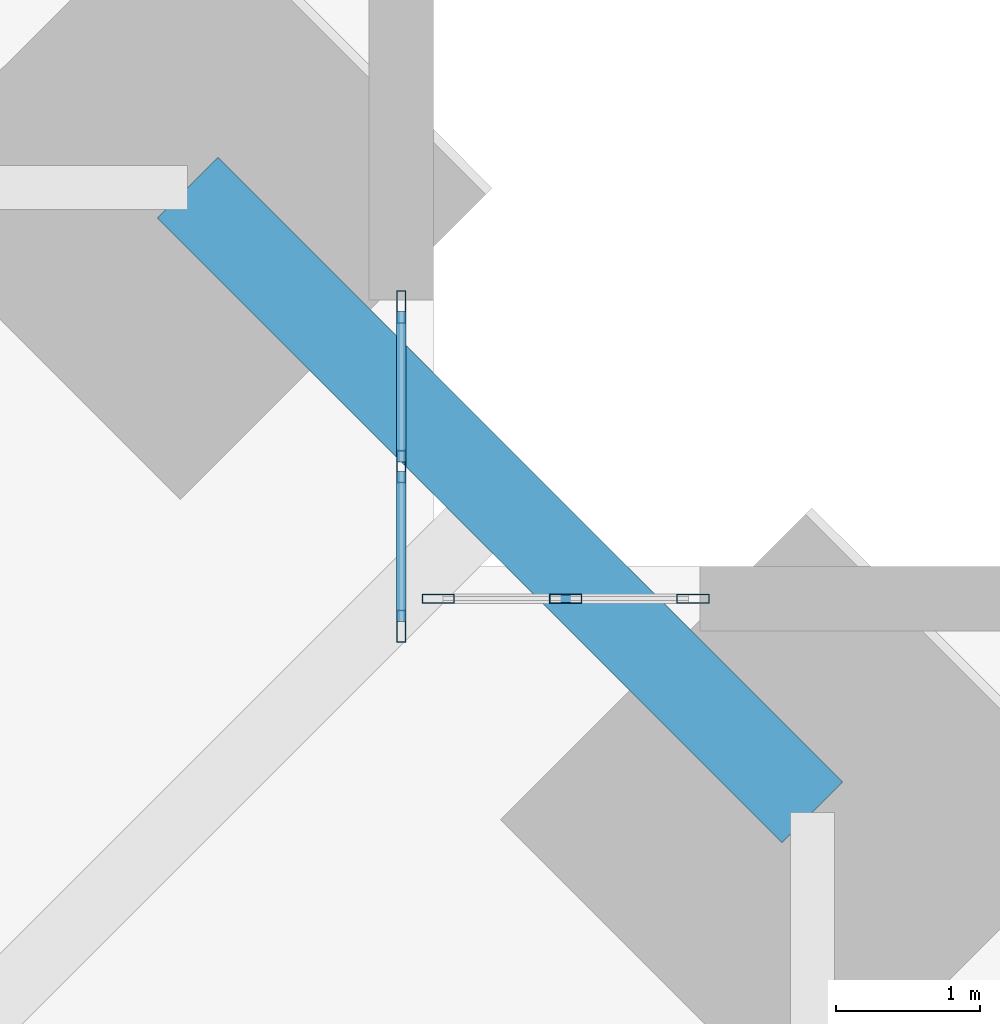
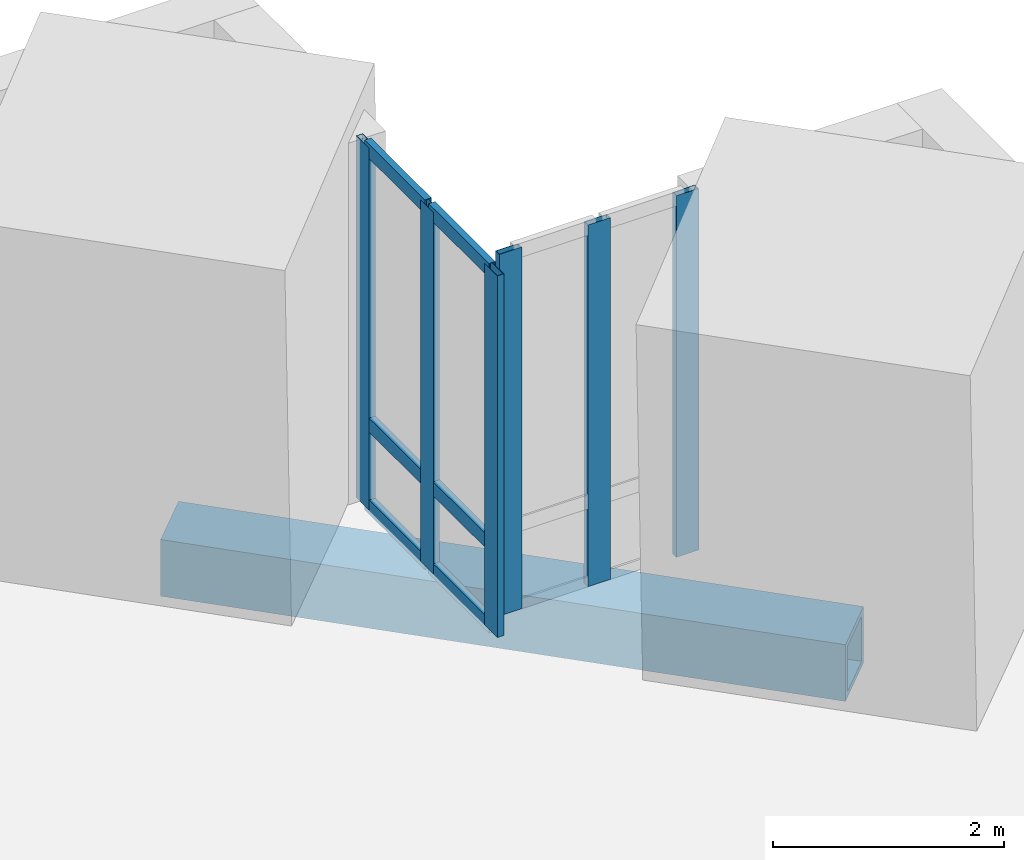
# One storey, part 8 of 17: 12 members, 1 beam, 2 elements without a shape of their own.
"""IFC4 building model written with IfcOpenShell, lengths in metres."""

from ifc_helpers import new_model, si_unit, direction, frame, origin, origin_2d, place, context, subcontext, project, spatial, hollow_rectangle, extrude, material, material_profile, profile_set, type_object, element, aggregate, save


model = new_model("IFC4")

# Units and contexts
model_context = context("Model", 3, precision=1e-05, world=origin(), true_north=direction((0.0, 1.0)))
body_context = subcontext(model_context, "Body", "Model", "MODEL_VIEW")
ifc_project = project(units=[si_unit("LENGTHUNIT", "METRE"), si_unit("AREAUNIT", "SQUARE_METRE"), si_unit("VOLUMEUNIT", "CUBIC_METRE"), si_unit("PLANEANGLEUNIT", "RADIAN"), si_unit("MASSUNIT", "GRAM", prefix="KILO")], contexts=[model_context])

# Site, building, storey
site_placement = place(None, origin())
site = spatial("IfcSite", under=ifc_project, at=site_placement, CompositionType="ELEMENT")
building_placement = place(site_placement, origin())
building = spatial("IfcBuilding", under=site, at=building_placement, Name="Peilmerk Tower", CompositionType="ELEMENT")
storey_placement = place(building_placement, frame((0.0, 0.0, 147.800048828125)))
storey = spatial("IfcBuildingStorey", under=building, at=storey_placement, Name="L30", CompositionType="ELEMENT", Elevation=147.800048828125)

# Beam
ifc_material_1 = material(Name="Steel S460", Category="steel")
ifc_material_profile_1 = material_profile(ifc_material_1, hollow_rectangle(XDim=0.60009765625, YDim=0.60009765625, WallThickness=0.06005859375, at=origin_2d()), Name="BOX 600x600x60")
ifc_profile_set_1 = profile_set([ifc_material_profile_1], Name="Steel S460")
beam_type = type_object("IfcBeamType", Name="B20 BOX 600x600x60 notch beam", PredefinedType="SPANDREL", material=ifc_profile_set_1)
beam_placement = place(storey_placement, frame((20.587158203125, 24.93701171875, -0.469970703125), z_axis=(0.707106781187, -0.707106781187, 0.0), x_axis=(0.707106781187, 0.707106781187, 0.0)))
element("IfcBeam", 1, at=beam_placement, inside=storey, type_object=beam_type, Name="Notch beam L30", PredefinedType="SPANDREL", context=body_context, shape_type="SweptSolid", body=[
    extrude(hollow_rectangle(XDim=0.60009765625, YDim=0.60009765625, WallThickness=0.06005859375, at=origin_2d()), origin(), (0.0, 0.0, 1.0), 6.151611328125),
])

# Curtain wall, members
ifc_material_2 = material(Name="Aluminium stick curtain wall", Category="aluminium")
curtain_wall_type = type_object("IfcCurtainWallType", Name="CW3 stick curtain wall, 2250 module", PredefinedType="NOTDEFINED", material=ifc_material_2)
curtain_wall_1_placement = place(storey_placement, origin())
curtain_wall_1 = element("IfcCurtainWall", 2, at=curtain_wall_1_placement, inside=storey, type_object=curtain_wall_type, Name="Curtain wall CW3 NEA L30", PredefinedType="NOTDEFINED")
ifc_material_3 = material(Name="Aluminium EN AW-6063 T6", Category="aluminium")
ifc_material_profile_2 = material_profile(ifc_material_3, hollow_rectangle(XDim=0.06494140625, YDim=0.22509765625, WallThickness=0.00390625, at=origin_2d()), Name="AL 225x65x4")
ifc_profile_set_2 = profile_set([ifc_material_profile_2], Name="Aluminium EN AW-6063 T6")
member_type_1 = type_object("IfcMemberType", Name="CW3-M AL 225x65x4 mullion", PredefinedType="MULLION", material=ifc_profile_set_2)
member_1_placement = place(storey_placement, frame((22.074951171875, 21.882568359375, 0.0), z_axis=(0.0, 0.0, 1.0), x_axis=(-1.0, 0.0, 0.0)))
member_1 = element("IfcMember", 3, at=member_1_placement, type_object=member_type_1, Name="CW3 mullion 1", PredefinedType="MULLION", context=body_context, shape_type="SweptSolid", body=[
    extrude(hollow_rectangle(XDim=0.06494140625, YDim=0.22509765625, WallThickness=0.00390625, at=origin_2d()), origin(), (0.0, 0.0, 1.0), 3.829833984375),
])
member_2_placement = place(storey_placement, frame((22.074951171875, 22.994384765625, 0.0), z_axis=(0.0, 0.0, 1.0), x_axis=(-1.0, 0.0, 0.0)))
member_2 = element("IfcMember", 4, at=member_2_placement, type_object=member_type_1, Name="CW3 mullion 2", PredefinedType="MULLION", context=body_context, shape_type="SweptSolid", body=[
    extrude(hollow_rectangle(XDim=0.06494140625, YDim=0.22509765625, WallThickness=0.00390625, at=origin_2d()), origin(), (0.0, 0.0, 1.0), 3.829833984375),
])
member_3_placement = place(storey_placement, frame((22.074951171875, 24.106201171875, 0.0), z_axis=(0.0, 0.0, 1.0), x_axis=(-1.0, 0.0, 0.0)))
member_3 = element("IfcMember", 5, at=member_3_placement, type_object=member_type_1, Name="CW3 mullion 3", PredefinedType="MULLION", context=body_context, shape_type="SweptSolid", body=[
    extrude(hollow_rectangle(XDim=0.06494140625, YDim=0.22509765625, WallThickness=0.00390625, at=origin_2d()), origin(), (0.0, 0.0, 1.0), 3.829833984375),
])

curtain_wall_2_placement = place(storey_placement, origin())
curtain_wall_2 = element("IfcCurtainWall", 6, at=curtain_wall_2_placement, inside=storey, type_object=curtain_wall_type, Name="Curtain wall CW3 NEB L30", PredefinedType="NOTDEFINED")
member_4_placement = place(storey_placement, frame((22.33251953125, 22.074951171875, 0.0), z_axis=(0.0, 0.0, 1.0), x_axis=(0.0, 1.0, 0.0)))
member_4 = element("IfcMember", 7, at=member_4_placement, type_object=member_type_1, Name="CW3 mullion 1", PredefinedType="MULLION", context=body_context, shape_type="SweptSolid", body=[
    extrude(hollow_rectangle(XDim=0.06494140625, YDim=0.22509765625, WallThickness=0.00390625, at=origin_2d()), origin(), (0.0, 0.0, 1.0), 3.829833984375),
])
member_5_placement = place(storey_placement, frame((23.21923828125, 22.074951171875, 0.0), z_axis=(0.0, 0.0, 1.0), x_axis=(0.0, 1.0, 0.0)))
member_5 = element("IfcMember", 8, at=member_5_placement, type_object=member_type_1, Name="CW3 mullion 2", PredefinedType="MULLION", context=body_context, shape_type="SweptSolid", body=[
    extrude(hollow_rectangle(XDim=0.06494140625, YDim=0.22509765625, WallThickness=0.00390625, at=origin_2d()), origin(), (0.0, 0.0, 1.0), 3.829833984375),
])
member_6_placement = place(storey_placement, frame((24.106201171875, 22.074951171875, 0.0), z_axis=(0.0, 0.0, 1.0), x_axis=(0.0, 1.0, 0.0)))
member_6 = element("IfcMember", 9, at=member_6_placement, type_object=member_type_1, Name="CW3 mullion 3", PredefinedType="MULLION", context=body_context, shape_type="SweptSolid", body=[
    extrude(hollow_rectangle(XDim=0.06494140625, YDim=0.22509765625, WallThickness=0.00390625, at=origin_2d()), origin(), (0.0, 0.0, 1.0), 3.829833984375),
])
aggregate(curtain_wall_2, [member_4, member_5, member_6])

# Member
ifc_material_profile_3 = material_profile(ifc_material_3, hollow_rectangle(XDim=0.06494140625, YDim=0.14990234375, WallThickness=0.0029296875, at=origin_2d()), Name="AL 150x65x3")
ifc_profile_set_3 = profile_set([ifc_material_profile_3], Name="Aluminium EN AW-6063 T6")
member_type_2 = type_object("IfcMemberType", Name="CW3-T AL 150x65x3 transom", PredefinedType="USERDEFINED", material=ifc_profile_set_3)
member_7_placement = place(storey_placement, frame((22.074951171875, 21.9150390625, 0.032470703125), z_axis=(0.0, 1.0, 0.0), x_axis=(-1.0, 0.0, 0.0)))
member_7 = element("IfcMember", 10, at=member_7_placement, type_object=member_type_2, Name="CW3 transom 1.1", ObjectType="TRANSOM", PredefinedType="USERDEFINED", context=body_context, shape_type="SweptSolid", body=[
    extrude(hollow_rectangle(XDim=0.06494140625, YDim=0.14990234375, WallThickness=0.0029296875, at=origin_2d()), origin(), (0.0, 0.0, 1.0), 1.046875),
])

member_8_placement = place(storey_placement, frame((22.074951171875, 21.9150390625, 0.89990234375), z_axis=(0.0, 1.0, 0.0), x_axis=(-1.0, 0.0, 0.0)))
member_8 = element("IfcMember", 11, at=member_8_placement, type_object=member_type_2, Name="CW3 transom 1.2", ObjectType="TRANSOM", PredefinedType="USERDEFINED", context=body_context, shape_type="SweptSolid", body=[
    extrude(hollow_rectangle(XDim=0.06494140625, YDim=0.14990234375, WallThickness=0.0029296875, at=origin_2d()), origin(), (0.0, 0.0, 1.0), 1.046875),
])

member_9_placement = place(storey_placement, frame((22.074951171875, 21.9150390625, 3.79736328125), z_axis=(0.0, 1.0, 0.0), x_axis=(-1.0, 0.0, 0.0)))
member_9 = element("IfcMember", 12, at=member_9_placement, type_object=member_type_2, Name="CW3 transom 1.3", ObjectType="TRANSOM", PredefinedType="USERDEFINED", context=body_context, shape_type="SweptSolid", body=[
    extrude(hollow_rectangle(XDim=0.06494140625, YDim=0.14990234375, WallThickness=0.0029296875, at=origin_2d()), origin(), (0.0, 0.0, 1.0), 1.046875),
])

member_10_placement = place(storey_placement, frame((22.074951171875, 23.02685546875, 0.032470703125), z_axis=(0.0, 1.0, 0.0), x_axis=(-1.0, 0.0, 0.0)))
member_10 = element("IfcMember", 13, at=member_10_placement, type_object=member_type_2, Name="CW3 transom 2.1", ObjectType="TRANSOM", PredefinedType="USERDEFINED", context=body_context, shape_type="SweptSolid", body=[
    extrude(hollow_rectangle(XDim=0.06494140625, YDim=0.14990234375, WallThickness=0.0029296875, at=origin_2d()), origin(), (0.0, 0.0, 1.0), 1.046875),
])

member_11_placement = place(storey_placement, frame((22.074951171875, 23.02685546875, 0.89990234375), z_axis=(0.0, 1.0, 0.0), x_axis=(-1.0, 0.0, 0.0)))
member_11 = element("IfcMember", 14, at=member_11_placement, type_object=member_type_2, Name="CW3 transom 2.2", ObjectType="TRANSOM", PredefinedType="USERDEFINED", context=body_context, shape_type="SweptSolid", body=[
    extrude(hollow_rectangle(XDim=0.06494140625, YDim=0.14990234375, WallThickness=0.0029296875, at=origin_2d()), origin(), (0.0, 0.0, 1.0), 1.046875),
])

member_12_placement = place(storey_placement, frame((22.074951171875, 23.02685546875, 3.79736328125), z_axis=(0.0, 1.0, 0.0), x_axis=(-1.0, 0.0, 0.0)))
member_12 = element("IfcMember", 15, at=member_12_placement, type_object=member_type_2, Name="CW3 transom 2.3", ObjectType="TRANSOM", PredefinedType="USERDEFINED", context=body_context, shape_type="SweptSolid", body=[
    extrude(hollow_rectangle(XDim=0.06494140625, YDim=0.14990234375, WallThickness=0.0029296875, at=origin_2d()), origin(), (0.0, 0.0, 1.0), 1.046875),
])

aggregate(curtain_wall_1, [member_1, member_2, member_3, member_7, member_8, member_9, member_10, member_11, member_12])

save(model, "model.ifc")
